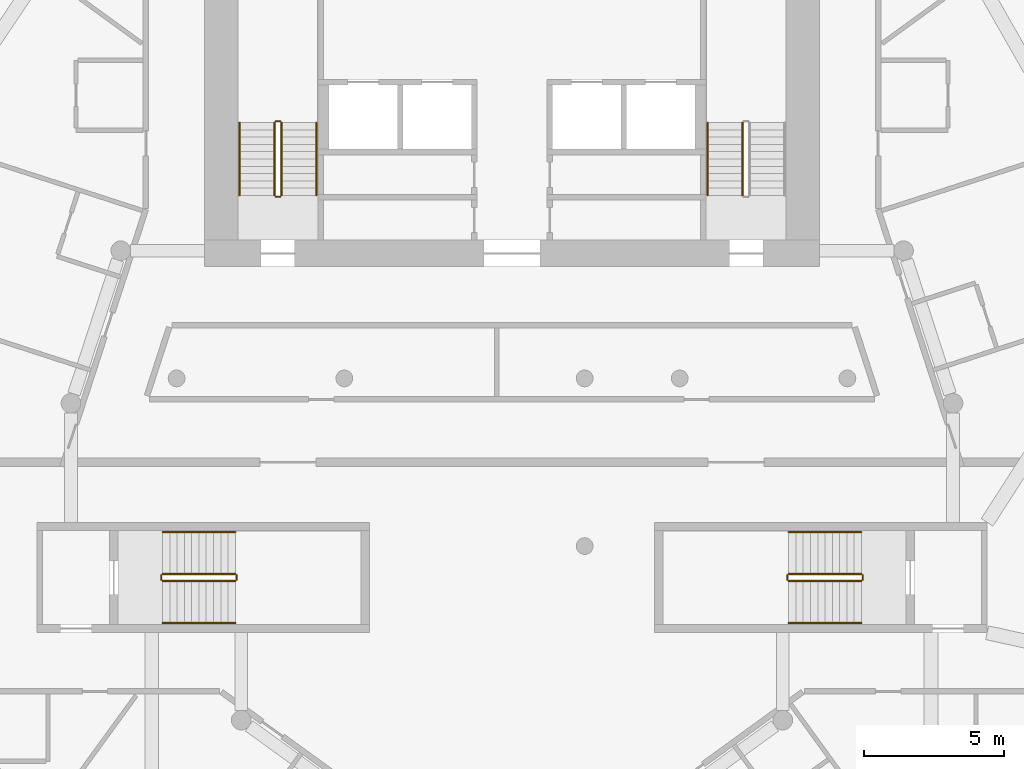
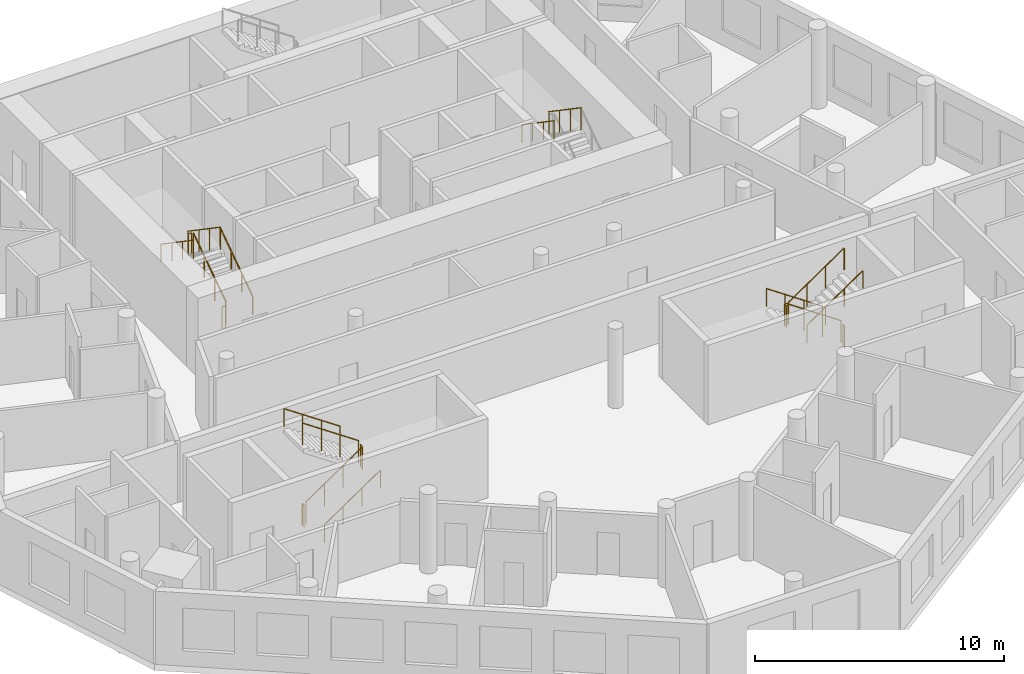
# One storey, part 8 of 9: 20 railings.
"""IFC4 building model written with IfcOpenShell, lengths in metres."""

from ifc_helpers import new_model, si_unit, direction, frame, origin, origin_2d, place, context, subcontext, project, spatial, circle, extrude, material, type_object, element, save


model = new_model("IFC4")

# Units and contexts
model_context = context("Model", 3, precision=1e-05, world=origin(), true_north=direction((0.0, 1.0)))
body_context = subcontext(model_context, "Body", "Model", "MODEL_VIEW")
ifc_project = project(units=[si_unit("LENGTHUNIT", "METRE"), si_unit("AREAUNIT", "SQUARE_METRE"), si_unit("VOLUMEUNIT", "CUBIC_METRE"), si_unit("PLANEANGLEUNIT", "RADIAN"), si_unit("MASSUNIT", "GRAM", prefix="KILO")], contexts=[model_context])

# Site, building, storey
site_placement = place(None, origin())
site = spatial("IfcSite", under=ifc_project, at=site_placement, CompositionType="ELEMENT")
building_placement = place(site_placement, origin())
building = spatial("IfcBuilding", under=site, at=building_placement, Name="White Candle Pilgrim Tower", CompositionType="ELEMENT")
storey_placement = place(building_placement, frame((0.0, 0.0, 187.60009765625)))
storey = spatial("IfcBuildingStorey", under=building, at=storey_placement, Name="L43", CompositionType="ELEMENT", Elevation=187.60009765625)

# Railings
ifc_material = material(Name="Stainless steel", Category="steel")
railing_type_1 = type_object("IfcRailingType", Name="Stair guard stainless steel 1100 mm", PredefinedType="GUARDRAIL", material=ifc_material)
railing_1_placement = place(storey_placement, frame((61.75, 73.550048828125, 0.17724609375)))
element("IfcRailing", 1, at=railing_1_placement, inside=storey, type_object=railing_type_1, Name="L43 ST1 stair guard 1", PredefinedType="GUARDRAIL", context=body_context, shape_type="SweptSolid", body=[
    extrude(circle(Radius=0.02392578125, at=origin_2d()), frame((0.0, 0.0, 1.076171875), z_axis=(0.0, 0.826215852431, 0.563353676824), x_axis=(-1.0, 0.0, 0.0)), (0.0, 0.0, 1.0), 3.146728515625),
    extrude(circle(Radius=0.02099609375, at=origin_2d()), origin(), (0.0, 0.0, 1.0), 1.052001953125),
    extrude(circle(Radius=0.02099609375, at=origin_2d()), frame((0.0, 0.86669921875, 0.5908203125)), (0.0, 0.0, 1.0), 1.052001953125),
    extrude(circle(Radius=0.02099609375, at=origin_2d()), frame((0.0, 1.733154296875, 1.181884765625)), (0.0, 0.0, 1.0), 1.052001953125),
    extrude(circle(Radius=0.02099609375, at=origin_2d()), frame((0.0, 2.599853515625, 1.772705078125)), (0.0, 0.0, 1.0), 1.052001953125),
])
railing_2_placement = place(storey_placement, frame((61.699951171875, 76.199951171875, 1.949951171875)))
element("IfcRailing", 2, at=railing_2_placement, inside=storey, type_object=railing_type_1, Name="L43 ST1 stair guard 2", PredefinedType="GUARDRAIL", context=body_context, shape_type="SweptSolid", body=[
    extrude(circle(Radius=0.02392578125, at=origin_2d()), frame((0.0, 0.0, 1.076171875), z_axis=(-1.0, 0.0, 0.0), x_axis=(0.0, -1.0, 0.0)), (0.0, 0.0, 1.0), 0.14990234375),
    extrude(circle(Radius=0.02099609375, at=origin_2d()), origin(), (0.0, 0.0, 1.0), 1.052001953125),
    extrude(circle(Radius=0.02099609375, at=origin_2d()), frame((-0.14990234375, 0.0, 0.0)), (0.0, 0.0, 1.0), 1.052001953125),
])
railing_3_placement = place(storey_placement, frame((61.5, 76.14990234375, 2.127197265625)))
element("IfcRailing", 3, at=railing_3_placement, inside=storey, type_object=railing_type_1, Name="L43 ST1 stair guard 3", PredefinedType="GUARDRAIL", context=body_context, shape_type="SweptSolid", body=[
    extrude(circle(Radius=0.02392578125, at=origin_2d()), frame((0.0, 0.0, 1.076171875), z_axis=(0.0, -0.826215852431, 0.563353676824), x_axis=(1.0, 0.0, 0.0)), (0.0, 0.0, 1.0), 3.146728515625),
    extrude(circle(Radius=0.02099609375, at=origin_2d()), origin(), (0.0, 0.0, 1.0), 1.052001953125),
    extrude(circle(Radius=0.02099609375, at=origin_2d()), frame((0.0, -0.86669921875, 0.5908203125)), (0.0, 0.0, 1.0), 1.052001953125),
    extrude(circle(Radius=0.02099609375, at=origin_2d()), frame((0.0, -1.733154296875, 1.181884765625)), (0.0, 0.0, 1.0), 1.052001953125),
    extrude(circle(Radius=0.02099609375, at=origin_2d()), frame((0.0, -2.599853515625, 1.772705078125)), (0.0, 0.0, 1.0), 1.052001953125),
])
railing_4_placement = place(storey_placement, frame((61.699951171875, 73.5, 0.0)))
element("IfcRailing", 4, at=railing_4_placement, inside=storey, type_object=railing_type_1, Name="L43 ST1 stair guard 4", PredefinedType="GUARDRAIL", context=body_context, shape_type="SweptSolid", body=[
    extrude(circle(Radius=0.02392578125, at=origin_2d()), frame((0.0, 0.0, 1.076171875), z_axis=(-1.0, 0.0, 0.0), x_axis=(0.0, -1.0, 0.0)), (0.0, 0.0, 1.0), 0.14990234375),
    extrude(circle(Radius=0.02099609375, at=origin_2d()), origin(), (0.0, 0.0, 1.0), 1.052001953125),
    extrude(circle(Radius=0.02099609375, at=origin_2d()), frame((-0.14990234375, 0.0, 0.0)), (0.0, 0.0, 1.0), 1.052001953125),
])
railing_5_placement = place(storey_placement, frame((78.25, 76.14990234375, 2.127197265625)))
element("IfcRailing", 5, at=railing_5_placement, inside=storey, type_object=railing_type_1, Name="L43 ST2 stair guard 3", PredefinedType="GUARDRAIL", context=body_context, shape_type="SweptSolid", body=[
    extrude(circle(Radius=0.02392578125, at=origin_2d()), frame((0.0, 0.0, 1.076171875), z_axis=(0.0, -0.826215852431, 0.563353676824), x_axis=(1.0, 0.0, 0.0)), (0.0, 0.0, 1.0), 3.146728515625),
    extrude(circle(Radius=0.02099609375, at=origin_2d()), origin(), (0.0, 0.0, 1.0), 1.052001953125),
    extrude(circle(Radius=0.02099609375, at=origin_2d()), frame((0.0, -0.86669921875, 0.5908203125)), (0.0, 0.0, 1.0), 1.052001953125),
    extrude(circle(Radius=0.02099609375, at=origin_2d()), frame((0.0, -1.733154296875, 1.181884765625)), (0.0, 0.0, 1.0), 1.052001953125),
    extrude(circle(Radius=0.02099609375, at=origin_2d()), frame((0.0, -2.599853515625, 1.772705078125)), (0.0, 0.0, 1.0), 1.052001953125),
])
railing_6_placement = place(storey_placement, frame((82.5, 60.0, 0.17724609375)))
element("IfcRailing", 6, at=railing_6_placement, inside=storey, type_object=railing_type_1, Name="L43 ST4 stair guard 1", PredefinedType="GUARDRAIL", context=body_context, shape_type="SweptSolid", body=[
    extrude(circle(Radius=0.02392578125, at=origin_2d()), frame((0.0, 0.0, 1.076171875), z_axis=(-0.826240473404, 0.0, 0.563317565952), x_axis=(0.0, -1.0, 0.0)), (0.0, 0.0, 1.0), 3.14697265625),
    extrude(circle(Radius=0.02099609375, at=origin_2d()), origin(), (0.0, 0.0, 1.0), 1.052001953125),
    extrude(circle(Radius=0.02099609375, at=origin_2d()), frame((-0.86669921875, 0.0, 0.5908203125)), (0.0, 0.0, 1.0), 1.052001953125),
    extrude(circle(Radius=0.02099609375, at=origin_2d()), frame((-1.7333984375, 0.0, 1.181884765625)), (0.0, 0.0, 1.0), 1.052001953125),
    extrude(circle(Radius=0.02099609375, at=origin_2d()), frame((-2.60009765625, 0.0, 1.772705078125)), (0.0, 0.0, 1.0), 1.052001953125),
])
railing_7_placement = place(storey_placement, frame((79.85009765625, 59.949951171875, 1.949951171875)))
element("IfcRailing", 7, at=railing_7_placement, inside=storey, type_object=railing_type_1, Name="L43 ST4 stair guard 2", PredefinedType="GUARDRAIL", context=body_context, shape_type="SweptSolid", body=[
    extrude(circle(Radius=0.02392578125, at=origin_2d()), frame((0.0, 0.0, 1.076171875), z_axis=(0.0, -1.0, 0.0), x_axis=(1.0, 0.0, 0.0)), (0.0, 0.0, 1.0), 0.14990234375),
    extrude(circle(Radius=0.02099609375, at=origin_2d()), origin(), (0.0, 0.0, 1.0), 1.052001953125),
    extrude(circle(Radius=0.02099609375, at=origin_2d()), frame((0.0, -0.14990234375, 0.0)), (0.0, 0.0, 1.0), 1.052001953125),
])
railing_8_placement = place(storey_placement, frame((79.89990234375, 59.75, 2.127197265625)))
element("IfcRailing", 8, at=railing_8_placement, inside=storey, type_object=railing_type_1, Name="L43 ST4 stair guard 3", PredefinedType="GUARDRAIL", context=body_context, shape_type="SweptSolid", body=[
    extrude(circle(Radius=0.02392578125, at=origin_2d()), frame((0.0, 0.0, 1.076171875), z_axis=(0.826240473404, 0.0, 0.563317565952), x_axis=(0.0, 1.0, 0.0)), (0.0, 0.0, 1.0), 3.14697265625),
    extrude(circle(Radius=0.02099609375, at=origin_2d()), origin(), (0.0, 0.0, 1.0), 1.052001953125),
    extrude(circle(Radius=0.02099609375, at=origin_2d()), frame((0.86669921875, 0.0, 0.5908203125)), (0.0, 0.0, 1.0), 1.052001953125),
    extrude(circle(Radius=0.02099609375, at=origin_2d()), frame((1.7333984375, 0.0, 1.181884765625)), (0.0, 0.0, 1.0), 1.052001953125),
    extrude(circle(Radius=0.02099609375, at=origin_2d()), frame((2.60009765625, 0.0, 1.772705078125)), (0.0, 0.0, 1.0), 1.052001953125),
])
railing_9_placement = place(storey_placement, frame((82.550048828125, 59.949951171875, 0.0)))
element("IfcRailing", 9, at=railing_9_placement, inside=storey, type_object=railing_type_1, Name="L43 ST4 stair guard 4", PredefinedType="GUARDRAIL", context=body_context, shape_type="SweptSolid", body=[
    extrude(circle(Radius=0.02392578125, at=origin_2d()), frame((0.0, 0.0, 1.076171875), z_axis=(0.0, -1.0, 0.0), x_axis=(1.0, 0.0, 0.0)), (0.0, 0.0, 1.0), 0.14990234375),
    extrude(circle(Radius=0.02099609375, at=origin_2d()), origin(), (0.0, 0.0, 1.0), 1.052001953125),
    extrude(circle(Radius=0.02099609375, at=origin_2d()), frame((0.0, -0.14990234375, 0.0)), (0.0, 0.0, 1.0), 1.052001953125),
])
railing_10_placement = place(storey_placement, frame((57.5, 59.75, 0.17724609375)))
element("IfcRailing", 10, at=railing_10_placement, inside=storey, type_object=railing_type_1, Name="L43 ST5 stair guard 1", PredefinedType="GUARDRAIL", context=body_context, shape_type="SweptSolid", body=[
    extrude(circle(Radius=0.02392578125, at=origin_2d()), frame((0.0, 0.0, 1.076171875), z_axis=(0.826240473404, 0.0, 0.563317565952), x_axis=(0.0, 1.0, 0.0)), (0.0, 0.0, 1.0), 3.14697265625),
    extrude(circle(Radius=0.02099609375, at=origin_2d()), origin(), (0.0, 0.0, 1.0), 1.052001953125),
    extrude(circle(Radius=0.02099609375, at=origin_2d()), frame((0.86669921875, 0.0, 0.5908203125)), (0.0, 0.0, 1.0), 1.052001953125),
    extrude(circle(Radius=0.02099609375, at=origin_2d()), frame((1.7333984375, 0.0, 1.181884765625)), (0.0, 0.0, 1.0), 1.052001953125),
    extrude(circle(Radius=0.02099609375, at=origin_2d()), frame((2.60009765625, 0.0, 1.772705078125)), (0.0, 0.0, 1.0), 1.052001953125),
])
railing_11_placement = place(storey_placement, frame((60.14990234375, 59.800048828125, 1.949951171875)))
element("IfcRailing", 11, at=railing_11_placement, inside=storey, type_object=railing_type_1, Name="L43 ST5 stair guard 2", PredefinedType="GUARDRAIL", context=body_context, shape_type="SweptSolid", body=[
    extrude(circle(Radius=0.02392578125, at=origin_2d()), frame((0.0, 0.0, 1.076171875), z_axis=(0.0, 1.0, 0.0), x_axis=(-1.0, 0.0, 0.0)), (0.0, 0.0, 1.0), 0.14990234375),
    extrude(circle(Radius=0.02099609375, at=origin_2d()), origin(), (0.0, 0.0, 1.0), 1.052001953125),
    extrude(circle(Radius=0.02099609375, at=origin_2d()), frame((0.0, 0.14990234375, 0.0)), (0.0, 0.0, 1.0), 1.052001953125),
])
railing_12_placement = place(storey_placement, frame((60.10009765625, 60.0, 2.127197265625)))
element("IfcRailing", 12, at=railing_12_placement, inside=storey, type_object=railing_type_1, Name="L43 ST5 stair guard 3", PredefinedType="GUARDRAIL", context=body_context, shape_type="SweptSolid", body=[
    extrude(circle(Radius=0.02392578125, at=origin_2d()), frame((0.0, 0.0, 1.076171875), z_axis=(-0.826240473404, 0.0, 0.563317565952), x_axis=(0.0, -1.0, 0.0)), (0.0, 0.0, 1.0), 3.14697265625),
    extrude(circle(Radius=0.02099609375, at=origin_2d()), origin(), (0.0, 0.0, 1.0), 1.052001953125),
    extrude(circle(Radius=0.02099609375, at=origin_2d()), frame((-0.86669921875, 0.0, 0.5908203125)), (0.0, 0.0, 1.0), 1.052001953125),
    extrude(circle(Radius=0.02099609375, at=origin_2d()), frame((-1.7333984375, 0.0, 1.181884765625)), (0.0, 0.0, 1.0), 1.052001953125),
    extrude(circle(Radius=0.02099609375, at=origin_2d()), frame((-2.60009765625, 0.0, 1.772705078125)), (0.0, 0.0, 1.0), 1.052001953125),
])
railing_13_placement = place(storey_placement, frame((57.449951171875, 59.800048828125, 0.0)))
element("IfcRailing", 13, at=railing_13_placement, inside=storey, type_object=railing_type_1, Name="L43 ST5 stair guard 4", PredefinedType="GUARDRAIL", context=body_context, shape_type="SweptSolid", body=[
    extrude(circle(Radius=0.02392578125, at=origin_2d()), frame((0.0, 0.0, 1.076171875), z_axis=(0.0, 1.0, 0.0), x_axis=(-1.0, 0.0, 0.0)), (0.0, 0.0, 1.0), 0.14990234375),
    extrude(circle(Radius=0.02099609375, at=origin_2d()), origin(), (0.0, 0.0, 1.0), 1.052001953125),
    extrude(circle(Radius=0.02099609375, at=origin_2d()), frame((0.0, 0.14990234375, 0.0)), (0.0, 0.0, 1.0), 1.052001953125),
])
railing_type_2 = type_object("IfcRailingType", Name="Stair handrail stainless steel", PredefinedType="HANDRAIL", material=ifc_material)
railing_14_placement = place(storey_placement, frame((63.0, 73.550048828125, 0.17724609375)))
element("IfcRailing", 14, at=railing_14_placement, inside=storey, type_object=railing_type_2, Name="L43 ST1 stair handrail 1", PredefinedType="HANDRAIL", context=body_context, shape_type="SweptSolid", body=[
    extrude(circle(Radius=0.02392578125, at=origin_2d()), frame((0.0, 0.0, 0.8759765625), z_axis=(0.0, 0.826215852431, 0.563353676824), x_axis=(-1.0, 0.0, 0.0)), (0.0, 0.0, 1.0), 3.146728515625),
    extrude(circle(Radius=0.02099609375, at=origin_2d()), origin(), (0.0, 0.0, 1.0), 0.851806640625),
    extrude(circle(Radius=0.02099609375, at=origin_2d()), frame((0.0, 0.86669921875, 0.5908203125)), (0.0, 0.0, 1.0), 0.851806640625),
    extrude(circle(Radius=0.02099609375, at=origin_2d()), frame((0.0, 1.733154296875, 1.181884765625)), (0.0, 0.0, 1.0), 0.851806640625),
    extrude(circle(Radius=0.02099609375, at=origin_2d()), frame((0.0, 2.599853515625, 1.772705078125)), (0.0, 0.0, 1.0), 0.851806640625),
])
for number, where, name in (
    (15, (60.25, 76.14990234375, 2.127197265625), "L43 ST1 stair handrail 2"),
    (16, (77.0, 76.14990234375, 2.127197265625), "L43 ST2 stair handrail 2"),
):
    element("IfcRailing", number, at=place(storey_placement, frame(where)), inside=storey, type_object=railing_type_2, Name=name, PredefinedType="HANDRAIL", context=body_context, shape_type="SweptSolid", body=[
        extrude(circle(Radius=0.02392578125, at=origin_2d()), frame((0.0, 0.0, 0.8759765625), z_axis=(0.0, -0.826215852431, 0.563353676824), x_axis=(1.0, 0.0, 0.0)), (0.0, 0.0, 1.0), 3.146728515625),
        extrude(circle(Radius=0.02099609375, at=origin_2d()), origin(), (0.0, 0.0, 1.0), 0.851806640625),
        extrude(circle(Radius=0.02099609375, at=origin_2d()), frame((0.0, -0.86669921875, 0.5908203125)), (0.0, 0.0, 1.0), 0.851806640625),
        extrude(circle(Radius=0.02099609375, at=origin_2d()), frame((0.0, -1.733154296875, 1.181884765625)), (0.0, 0.0, 1.0), 0.851806640625),
        extrude(circle(Radius=0.02099609375, at=origin_2d()), frame((0.0, -2.599853515625, 1.772705078125)), (0.0, 0.0, 1.0), 0.851806640625),
    ])
railing_15_placement = place(storey_placement, frame((82.5, 61.5, 0.17724609375)))
element("IfcRailing", 17, at=railing_15_placement, inside=storey, type_object=railing_type_2, Name="L43 ST4 stair handrail 1", PredefinedType="HANDRAIL", context=body_context, shape_type="SweptSolid", body=[
    extrude(circle(Radius=0.02392578125, at=origin_2d()), frame((0.0, 0.0, 0.8759765625), z_axis=(-0.826240473404, 0.0, 0.563317565952), x_axis=(0.0, -1.0, 0.0)), (0.0, 0.0, 1.0), 3.14697265625),
    extrude(circle(Radius=0.02099609375, at=origin_2d()), origin(), (0.0, 0.0, 1.0), 0.851806640625),
    extrude(circle(Radius=0.02099609375, at=origin_2d()), frame((-0.86669921875, 0.0, 0.5908203125)), (0.0, 0.0, 1.0), 0.851806640625),
    extrude(circle(Radius=0.02099609375, at=origin_2d()), frame((-1.7333984375, 0.0, 1.181884765625)), (0.0, 0.0, 1.0), 0.851806640625),
    extrude(circle(Radius=0.02099609375, at=origin_2d()), frame((-2.60009765625, 0.0, 1.772705078125)), (0.0, 0.0, 1.0), 0.851806640625),
])
for number, where, name in (
    (18, (79.89990234375, 58.25, 2.127197265625), "L43 ST4 stair handrail 2"),
    (19, (57.5, 58.25, 0.17724609375), "L43 ST5 stair handrail 1"),
):
    element("IfcRailing", number, at=place(storey_placement, frame(where)), inside=storey, type_object=railing_type_2, Name=name, PredefinedType="HANDRAIL", context=body_context, shape_type="SweptSolid", body=[
        extrude(circle(Radius=0.02392578125, at=origin_2d()), frame((0.0, 0.0, 0.8759765625), z_axis=(0.826240473404, 0.0, 0.563317565952), x_axis=(0.0, 1.0, 0.0)), (0.0, 0.0, 1.0), 3.14697265625),
        extrude(circle(Radius=0.02099609375, at=origin_2d()), origin(), (0.0, 0.0, 1.0), 0.851806640625),
        extrude(circle(Radius=0.02099609375, at=origin_2d()), frame((0.86669921875, 0.0, 0.5908203125)), (0.0, 0.0, 1.0), 0.851806640625),
        extrude(circle(Radius=0.02099609375, at=origin_2d()), frame((1.7333984375, 0.0, 1.181884765625)), (0.0, 0.0, 1.0), 0.851806640625),
        extrude(circle(Radius=0.02099609375, at=origin_2d()), frame((2.60009765625, 0.0, 1.772705078125)), (0.0, 0.0, 1.0), 0.851806640625),
    ])
railing_16_placement = place(storey_placement, frame((60.10009765625, 61.5, 2.127197265625)))
element("IfcRailing", 20, at=railing_16_placement, inside=storey, type_object=railing_type_2, Name="L43 ST5 stair handrail 2", PredefinedType="HANDRAIL", context=body_context, shape_type="SweptSolid", body=[
    extrude(circle(Radius=0.02392578125, at=origin_2d()), frame((0.0, 0.0, 0.8759765625), z_axis=(-0.826240473404, 0.0, 0.563317565952), x_axis=(0.0, -1.0, 0.0)), (0.0, 0.0, 1.0), 3.14697265625),
    extrude(circle(Radius=0.02099609375, at=origin_2d()), origin(), (0.0, 0.0, 1.0), 0.851806640625),
    extrude(circle(Radius=0.02099609375, at=origin_2d()), frame((-0.86669921875, 0.0, 0.5908203125)), (0.0, 0.0, 1.0), 0.851806640625),
    extrude(circle(Radius=0.02099609375, at=origin_2d()), frame((-1.7333984375, 0.0, 1.181884765625)), (0.0, 0.0, 1.0), 0.851806640625),
    extrude(circle(Radius=0.02099609375, at=origin_2d()), frame((-2.60009765625, 0.0, 1.772705078125)), (0.0, 0.0, 1.0), 0.851806640625),
])

save(model, "model.ifc")
